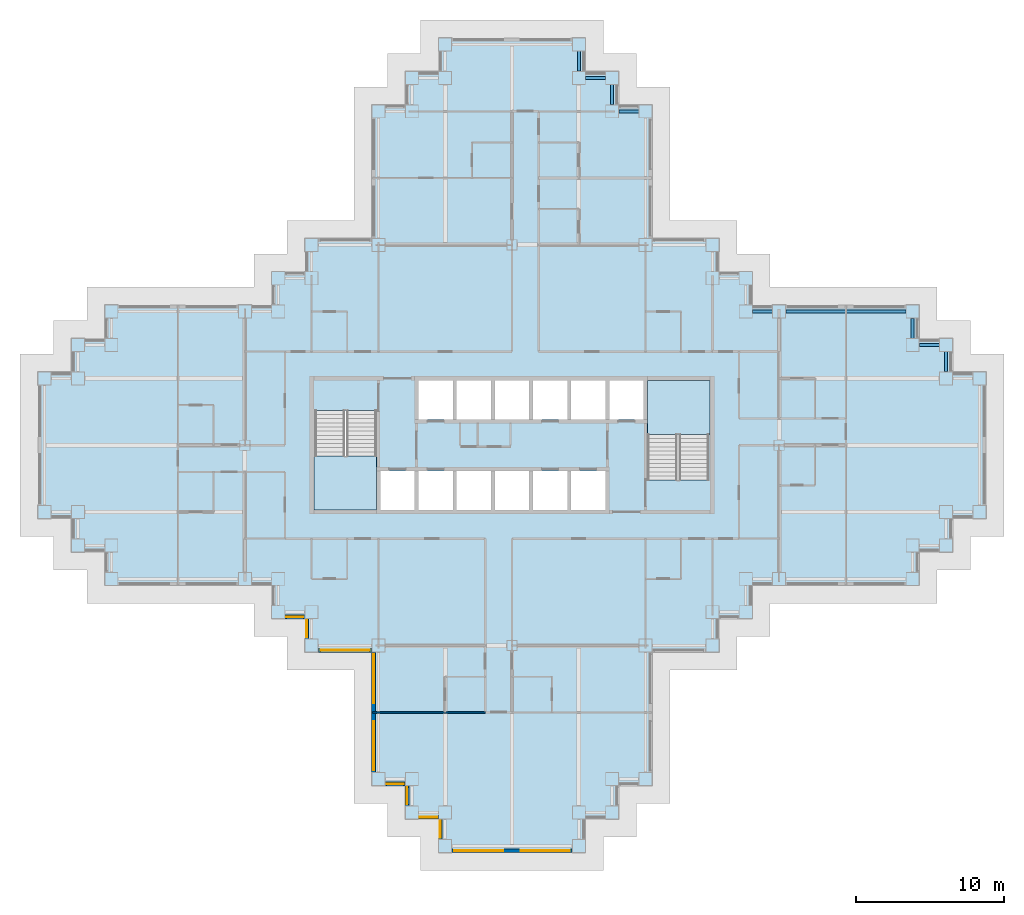
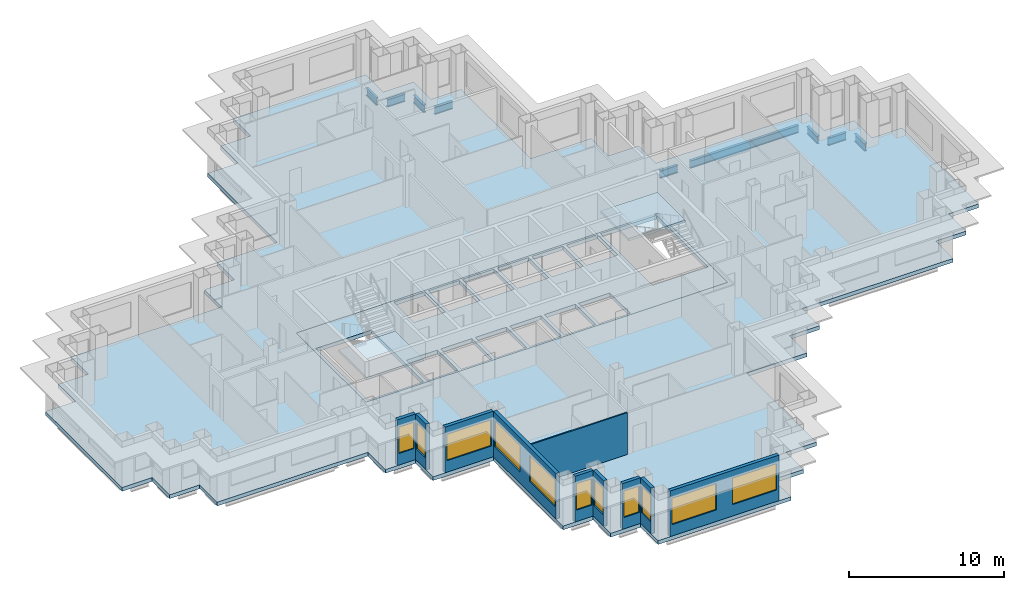
# One storey, part 2 of 14: 11 windows, 10 walls, 9 beams, 4 slabs, 11 openings, 2 elements without a shape of their own.
"""IFC4 building model written with IfcOpenShell, lengths in metres."""

import ifcopenshell
import ifcopenshell.guid

model = None  # the IFC model being written
_history = None  # IfcOwnerHistory: only IFC2X3 demands one
_inside = {}  # id of a spatial element -> (the spatial element, [elements in it])
_under = {}  # id of a project, library or spatial element -> (it, [spatial elements below it])
_declared = {}  # id of a project -> (the project, [libraries it declares])
_typed = {}  # id of a type object -> (the type object, [elements of that type])
_made_of = {}  # id of a material, layer set ... -> (it, [elements and type objects made of it])


def new_model(schema):
    """Start an empty IFC model of exactly this schema.

    Asked for "IFC4X3", IfcOpenShell would pick the latest addendum, in which some entities
    have other attributes; the version numbers below select the first issue.
    IFC2X3 requires an IfcOwnerHistory on every rooted entity: one is made here for all.
    """
    global model, _history
    if schema == "IFC4X3":
        model = ifcopenshell.file(schema_version=(4, 3, 0, 0))
    else:
        model = ifcopenshell.file(schema=schema)
    _inside.clear()
    _under.clear()
    _declared.clear()
    _typed.clear()
    _made_of.clear()
    _history = None
    if model.schema == "IFC2X3":
        org = make("IfcOrganization", Name="unknown")
        user = make(
            "IfcPersonAndOrganization",
            ThePerson=make("IfcPerson", FamilyName="unknown"),
            TheOrganization=org,
        )
        app = make(
            "IfcApplication",
            ApplicationDeveloper=org,
            Version="unknown",
            ApplicationFullName="unknown",
            ApplicationIdentifier="unknown",
        )
        _history = make(
            "IfcOwnerHistory",
            OwningUser=user,
            OwningApplication=app,
            ChangeAction="ADDED",
            CreationDate=0,
        )
    return model


def make(cls, **values):
    """One entity of the class cls with the attributes given. An attribute that is None is left unset."""
    return model.create_entity(
        cls, **{name: value for name, value in values.items() if value is not None}
    )


def rooted(cls, **values):
    """An entity with a GlobalId (a new one), such as an element, a storey or a relation."""
    return make(cls, GlobalId=ifcopenshell.guid.new(), OwnerHistory=_history, **values)


def si_unit(unit_type, name, prefix=None):
    """IfcSIUnit, for example si_unit("LENGTHUNIT", "METRE", prefix="MILLI")."""
    return make("IfcSIUnit", UnitType=unit_type, Prefix=prefix, Name=name)


def assignment(units):
    """IfcUnitAssignment: the units of a project."""
    return None if units is None else make("IfcUnitAssignment", Units=units)


def point(xyz):
    """IfcCartesianPoint."""
    return None if xyz is None else make("IfcCartesianPoint", Coordinates=xyz)


def direction(xyz):
    """IfcDirection."""
    return None if xyz is None else make("IfcDirection", DirectionRatios=xyz)


def frame(location, z_axis=None, x_axis=None):
    """IfcAxis2Placement3D, a coordinate frame: its origin and axes. An axis left out is left unset."""
    return make(
        "IfcAxis2Placement3D",
        Location=point(location),
        Axis=direction(z_axis),
        RefDirection=direction(x_axis),
    )


def frame_2d(location, x_axis=None):
    """IfcAxis2Placement2D, a coordinate frame in the plane: its origin and x axis."""
    return make(
        "IfcAxis2Placement2D", Location=point(location), RefDirection=direction(x_axis)
    )


def origin():
    """The frame at (0, 0, 0) with its axes left unset."""
    return frame((0.0, 0.0, 0.0))


def origin_2d():
    """The frame at (0, 0) in the plane with its x axis left unset."""
    return frame_2d((0.0, 0.0))


def place(relative_to, where):
    """IfcLocalPlacement: puts the frame where relative to a parent placement (None: the world)."""
    return make(
        "IfcLocalPlacement", PlacementRelTo=relative_to, RelativePlacement=where
    )


def context(
    kind, dimensions, precision=None, world=None, true_north=None, identifier=None
):
    """IfcGeometricRepresentationContext, for example the 3D "Model" context."""
    return make(
        "IfcGeometricRepresentationContext",
        ContextIdentifier=identifier,
        ContextType=kind,
        CoordinateSpaceDimension=dimensions,
        Precision=precision,
        WorldCoordinateSystem=world,
        TrueNorth=true_north,
    )


def subcontext(parent, identifier, kind, view, scale=None):
    """IfcGeometricRepresentationSubContext, for example "Body" below "Model"."""
    return make(
        "IfcGeometricRepresentationSubContext",
        ContextIdentifier=identifier,
        ContextType=kind,
        ParentContext=parent,
        TargetScale=scale,
        TargetView=view,
    )


def project(units=None, contexts=None):
    """IfcProject with its units and contexts."""
    return rooted(
        "IfcProject",
        Name="project",
        RepresentationContexts=contexts,
        UnitsInContext=assignment(units),
    )


def spatial(cls, under=None, at=None, **own):
    """A site, building, storey or space (cls), placed at a placement, below another one or the project."""
    s = rooted(cls, ObjectPlacement=at, **own)
    if under is not None:
        _under.setdefault(under.id(), (under, []))[1].append(s)
    return s


def polyline(points):
    """IfcPolyline through the points."""
    return make("IfcPolyline", Points=[point(p) for p in points])


def profile(cls, at=None, kind="AREA", **sizes):
    """A parametric profile (cls). Its sizes go by their IFC names, for example OverallWidth=200.0."""
    return make(cls, ProfileType=kind, Position=at, **sizes)


def rectangle(**sizes):
    """IfcRectangleProfileDef."""
    return profile("IfcRectangleProfileDef", **sizes)


def i_section(**sizes):
    """IfcIShapeProfileDef."""
    return profile("IfcIShapeProfileDef", **sizes)


def outline(outer, holes=None, kind="AREA"):
    """IfcArbitraryClosedProfileDef: a profile drawn as a closed curve; with holes, ...WithVoids."""
    if holes is None:
        return make("IfcArbitraryClosedProfileDef", ProfileType=kind, OuterCurve=outer)
    return make(
        "IfcArbitraryProfileDefWithVoids",
        ProfileType=kind,
        OuterCurve=outer,
        InnerCurves=holes,
    )


def extrude(swept, where, along, depth):
    """IfcExtrudedAreaSolid: the profile swept, set in the frame where, extruded along a direction by depth."""
    return make(
        "IfcExtrudedAreaSolid",
        SweptArea=swept,
        Position=where,
        ExtrudedDirection=direction(along),
        Depth=depth,
    )


def shape(context_of_items, identifier, shape_type, items):
    """IfcShapeRepresentation: the items that make up one representation, for example the "Body"."""
    return make(
        "IfcShapeRepresentation",
        ContextOfItems=context_of_items,
        RepresentationIdentifier=identifier,
        RepresentationType=shape_type,
        Items=items,
    )


def material(Name=None, Category=None):
    """IfcMaterial."""
    return make("IfcMaterial", Name=Name, Category=Category)


def layer(
    of_material, thickness, ventilated=None, Name=None, Category=None, Priority=None
):
    """IfcMaterialLayer: one layer of a wall or slab, of a material (None: an air gap)."""
    return make(
        "IfcMaterialLayer",
        Material=of_material,
        LayerThickness=thickness,
        IsVentilated=ventilated,
        Name=Name,
        Category=Category,
        Priority=Priority,
    )


def layer_set(layers, Name=None):
    """IfcMaterialLayerSet."""
    return make("IfcMaterialLayerSet", MaterialLayers=layers, LayerSetName=Name)


def material_profile(
    of_material, cross_section, Name=None, Category=None, Priority=None
):
    """IfcMaterialProfile: a cross section and its material."""
    return make(
        "IfcMaterialProfile",
        Name=Name,
        Material=of_material,
        Profile=cross_section,
        Priority=Priority,
        Category=Category,
    )


def profile_set(profiles, Name=None, composite=None):
    """IfcMaterialProfileSet."""
    return make(
        "IfcMaterialProfileSet",
        Name=Name,
        MaterialProfiles=profiles,
        CompositeProfile=composite,
    )


def made_of(thing, what):
    """Note that an element or type object is made of a material, layer set ...; save() writes the relation."""
    if what is not None:
        _made_of.setdefault(what.id(), (what, []))[1].append(thing)
    return thing


def type_object(cls, material=None, **own):
    """A type object (cls), such as IfcWallType, which elements share."""
    return made_of(rooted(cls, **own), material)


def element(
    cls,
    number,
    at=None,
    inside=None,
    cuts=None,
    type_object=None,
    material=None,
    context=None,
    identifier="Body",
    shape_type=None,
    held_by="IfcProductDefinitionShape",
    body=None,
    shapes=None,
    **own,
):
    """One element of the class cls, such as IfcWall. Its Tag is "e" and its number.

    at: its placement. inside: the storey or other place that contains it. cuts: it is an
    opening in that element (IfcRelVoidsElement). A single representation is given by context,
    identifier, shape_type and body (its items); several are given by shapes. held_by: the class
    of the entity that holds the representations. save() writes the other relations.
    """
    e = rooted(cls, Tag="e%d" % number, ObjectPlacement=at, **own)
    if body is not None:
        shapes = [shape(context, identifier, shape_type, body)]
    if shapes is not None:
        e.Representation = make(held_by, Representations=shapes)
    if inside is not None:
        _inside.setdefault(inside.id(), (inside, []))[1].append(e)
    if cuts is not None:
        rooted(
            "IfcRelVoidsElement", RelatingBuildingElement=cuts, RelatedOpeningElement=e
        )
    if type_object is not None:
        _typed.setdefault(type_object.id(), (type_object, []))[1].append(e)
    return made_of(e, material)


def fill(opening, filler):
    """IfcRelFillsElement: the door or window that sits in an opening."""
    return rooted(
        "IfcRelFillsElement",
        RelatingOpeningElement=opening,
        RelatedBuildingElement=filler,
    )


def aggregate(whole, parts):
    """IfcRelAggregates: a whole, such as a stair, and the parts it consists of."""
    return rooted("IfcRelAggregates", RelatingObject=whole, RelatedObjects=parts)


def save(model, path):
    """Write the relations noted so far, then the file.

    IfcRelAggregates (storeys below a building ...), IfcRelContainedInSpatialStructure (elements
    in a storey), IfcRelDefinesByType, IfcRelAssociatesMaterial and IfcRelDeclares: one each for
    every whole, place, type object, material and project.
    """
    for whole, parts in _under.values():
        aggregate(whole, parts)
    for where, things in _inside.values():
        rooted(
            "IfcRelContainedInSpatialStructure",
            RelatedElements=things,
            RelatingStructure=where,
        )
    for kind, things in _typed.values():
        rooted("IfcRelDefinesByType", RelatedObjects=things, RelatingType=kind)
    for what, things in _made_of.values():
        rooted("IfcRelAssociatesMaterial", RelatedObjects=things, RelatingMaterial=what)
    for by, libraries in _declared.values():
        rooted("IfcRelDeclares", RelatingContext=by, RelatedDefinitions=libraries)
    model.write(path)


model = new_model("IFC4")

# Units and contexts
model_context = context("Model", 3, precision=1e-05, world=origin(), true_north=direction((0.0, 1.0)))
body_context = subcontext(model_context, "Body", "Model", "MODEL_VIEW")
ifc_project = project(units=[si_unit("LENGTHUNIT", "METRE"), si_unit("AREAUNIT", "SQUARE_METRE"), si_unit("VOLUMEUNIT", "CUBIC_METRE"), si_unit("PLANEANGLEUNIT", "RADIAN"), si_unit("MASSUNIT", "GRAM", prefix="KILO")], contexts=[model_context])

# Site, building, storey
site_placement = place(None, origin())
site = spatial("IfcSite", under=ifc_project, at=site_placement, CompositionType="ELEMENT")
building_placement = place(site_placement, origin())
building = spatial("IfcBuilding", under=site, at=building_placement, Name="Caravel Reach Hotel and Residences", CompositionType="ELEMENT")
storey_placement = place(building_placement, frame((0.0, 0.0, 118.800048828125)))
storey = spatial("IfcBuildingStorey", under=building, at=storey_placement, Name="L29", CompositionType="ELEMENT", Elevation=118.800048828125)

# Beams
ifc_material_1 = material(Name="Structural steel Q355B", Category="steel")
ifc_material_profile = material_profile(ifc_material_1, i_section(OverallWidth=0.199951171875, OverallDepth=0.60009765625, WebThickness=0.010986328125, FlangeThickness=0.01708984375, FilletRadius=0.012939453125, at=origin_2d()), Name="HN 600x200x11x17")
ifc_profile_set = profile_set([ifc_material_profile], Name="Structural steel Q355B")
beam_type = type_object("IfcBeamType", Name="Spandrel beam HN 600x200x11x17", PredefinedType="SPANDREL", material=ifc_profile_set)
for number, where, z_axis, x_axis, name in (
    (1, (60.75, 31.949951171875, -0.60009765625), (0.0, 1.0, 0.0), (-1.0, 0.0, 0.0), "SP1 HN 600x200x11x17"),
    (2, (60.300048828125, 33.75, -0.60009765625), (-1.0, 0.0, 0.0), (0.0, -1.0, 0.0), "SP1 HN 600x200x11x17"),
    (3, (58.5, 34.199951171875, -0.60009765625), (0.0, 1.0, 0.0), (-1.0, 0.0, 0.0), "SP1 HN 600x200x11x17"),
):
    element("IfcBeam", number, at=place(storey_placement, frame(where, z_axis=z_axis, x_axis=x_axis)), inside=storey, type_object=beam_type, Name=name, PredefinedType="SPANDREL", context=body_context, shape_type="SweptSolid", body=[
        extrude(i_section(OverallWidth=0.199951171875, OverallDepth=0.60009765625, WebThickness=0.010986328125, FlangeThickness=0.01708984375, FilletRadius=0.012939453125, at=origin_2d()), origin(), (0.0, 0.0, 1.0), 1.35009765625),
    ])
beam_placement = place(storey_placement, frame((58.050048828125, 36.0, -0.60009765625), z_axis=(-1.0, 0.0, 0.0), x_axis=(0.0, -1.0, 0.0)))
element("IfcBeam", 4, at=beam_placement, inside=storey, type_object=beam_type, Name="SP1 HN 600x200x11x17", PredefinedType="SPANDREL", context=body_context, shape_type="SweptSolid", body=[
    extrude(i_section(OverallWidth=0.199951171875, OverallDepth=0.60009765625, WebThickness=0.010986328125, FlangeThickness=0.01708984375, FilletRadius=0.012939453125, at=origin_2d()), origin(), (0.0, 0.0, 1.0), 8.10009765625),
])
for number, where, z_axis, x_axis, name in (
    (5, (49.050048828125, 36.0, -0.60009765625), (-1.0, 0.0, 0.0), (0.0, -1.0, 0.0), "SP1 HN 600x200x11x17"),
    (6, (40.050048828125, 49.5, -0.60009765625), (-1.0, 0.0, 0.0), (0.0, -1.0, 0.0), "SP1 HN 600x200x11x17"),
    (7, (38.25, 49.949951171875, -0.60009765625), (0.0, 1.0, 0.0), (-1.0, 0.0, 0.0), "SP1 HN 600x200x11x17"),
    (8, (37.800048828125, 51.75, -0.60009765625), (-1.0, 0.0, 0.0), (0.0, -1.0, 0.0), "SP1 HN 600x200x11x17"),
    (9, (36.0, 52.199951171875, -0.60009765625), (0.0, 1.0, 0.0), (-1.0, 0.0, 0.0), "SP1 HN 600x200x11x17"),
):
    element("IfcBeam", number, at=place(storey_placement, frame(where, z_axis=z_axis, x_axis=x_axis)), inside=storey, type_object=beam_type, Name=name, PredefinedType="SPANDREL", context=body_context, shape_type="SweptSolid", body=[
        extrude(i_section(OverallWidth=0.199951171875, OverallDepth=0.60009765625, WebThickness=0.010986328125, FlangeThickness=0.01708984375, FilletRadius=0.012939453125, at=origin_2d()), origin(), (0.0, 0.0, 1.0), 1.35009765625),
    ])

# Slab
ifc_material_2 = material(Name="Concrete C40", Category="concrete")
ifc_layer_1 = layer(ifc_material_2, 0.300048828125)
ifc_layer_set_1 = layer_set([ifc_layer_1], Name="Core floor slab 300 mm")
slab_type_1 = type_object("IfcSlabType", Name="Core floor slab 300 mm", PredefinedType="FLOOR", material=ifc_layer_set_1)
slab_1_placement = place(storey_placement, frame((0.0, 0.0, -0.300048828125)))
element("IfcSlab", 10, at=slab_1_placement, inside=storey, type_object=slab_type_1, Name="L29 core floor", PredefinedType="FLOOR", context=body_context, shape_type="SweptSolid", body=[
    extrude(outline(polyline([(18.0, 31.5), (45.0, 31.5), (45.0, 22.5), (18.0, 22.5), (18.0, 31.5)]), holes=[polyline([(22.625, 25.27490234375), (22.625, 22.64990234375), (24.9462890625, 22.64990234375), (24.9462890625, 25.27490234375), (22.625, 25.27490234375)]), polyline([(27.517822265625, 25.27490234375), (25.1962890625, 25.27490234375), (25.1962890625, 22.64990234375), (27.517822265625, 22.64990234375), (27.517822265625, 25.27490234375)]), polyline([(30.08935546875, 25.27490234375), (27.767822265625, 25.27490234375), (27.767822265625, 22.64990234375), (30.08935546875, 22.64990234375), (30.08935546875, 25.27490234375)]), polyline([(32.66064453125, 25.27490234375), (30.33935546875, 25.27490234375), (30.33935546875, 22.64990234375), (32.66064453125, 22.64990234375), (32.66064453125, 25.27490234375)]), polyline([(18.22509765625, 22.64990234375), (22.375, 22.64990234375), (22.375, 29.35009765625), (18.22509765625, 29.35009765625), (18.22509765625, 22.64990234375)]), polyline([(27.517822265625, 31.35009765625), (25.1962890625, 31.35009765625), (25.1962890625, 28.72509765625), (27.517822265625, 28.72509765625), (27.517822265625, 31.35009765625)]), polyline([(30.08935546875, 31.35009765625), (27.767822265625, 31.35009765625), (27.767822265625, 28.72509765625), (30.08935546875, 28.72509765625), (30.08935546875, 31.35009765625)]), polyline([(32.91064453125, 25.27490234375), (32.91064453125, 22.64990234375), (35.232177734375, 22.64990234375), (35.232177734375, 25.27490234375), (32.91064453125, 25.27490234375)]), polyline([(37.8037109375, 25.27490234375), (35.482177734375, 25.27490234375), (35.482177734375, 22.64990234375), (37.8037109375, 22.64990234375), (37.8037109375, 25.27490234375)]), polyline([(44.77490234375, 31.35009765625), (40.625, 31.35009765625), (40.625, 24.64990234375), (44.77490234375, 24.64990234375), (44.77490234375, 31.35009765625)]), polyline([(32.66064453125, 31.35009765625), (30.33935546875, 31.35009765625), (30.33935546875, 28.72509765625), (32.66064453125, 28.72509765625), (32.66064453125, 31.35009765625)]), polyline([(35.232177734375, 31.35009765625), (32.91064453125, 31.35009765625), (32.91064453125, 28.72509765625), (35.232177734375, 28.72509765625), (35.232177734375, 31.35009765625)]), polyline([(37.8037109375, 31.35009765625), (35.482177734375, 31.35009765625), (35.482177734375, 28.72509765625), (37.8037109375, 28.72509765625), (37.8037109375, 31.35009765625)]), polyline([(40.375, 31.35009765625), (38.0537109375, 31.35009765625), (38.0537109375, 28.72509765625), (40.375, 28.72509765625), (40.375, 31.35009765625)])]), origin(), (0.0, 0.0, 1.0), 0.300048828125),
])

# Stair, slab
ifc_material_3 = material(Name="Concrete C40", Category="concrete")
stair_type = type_object("IfcStairType", Name="Core stair", PredefinedType="HALF_TURN_STAIR", material=ifc_material_3)
stair_1_placement = place(storey_placement, origin())
stair_1 = element("IfcStair", 11, at=stair_1_placement, inside=storey, type_object=stair_type, Name="L29 Exit stair A", PredefinedType="HALF_TURN_STAIR")
ifc_material_4 = material(Name="Concrete C40", Category="concrete")
ifc_layer_2 = layer(ifc_material_4, 0.199951171875)
ifc_layer_set_2 = layer_set([ifc_layer_2], Name="Core stair landing")
slab_type_2 = type_object("IfcSlabType", Name="Core stair landing", PredefinedType="LANDING", material=ifc_layer_set_2)
slab_2_placement = place(storey_placement, frame((0.0, 0.0, 1.599853515625)))
slab_2 = element("IfcSlab", 12, at=slab_2_placement, type_object=slab_type_2, Name="ST-A landing 1", PredefinedType="LANDING", context=body_context, shape_type="SweptSolid", body=[
    extrude(outline(polyline([(18.14990234375, 26.27001953125), (18.14990234375, 22.64990234375), (22.375, 22.64990234375), (22.375, 26.27001953125), (18.14990234375, 26.27001953125)])), origin(), (0.0, 0.0, 1.0), 0.2001953125),
])
aggregate(stair_1, [slab_2])

stair_2_placement = place(storey_placement, origin())
stair_2 = element("IfcStair", 13, at=stair_2_placement, inside=storey, type_object=stair_type, Name="L29 Exit stair B", PredefinedType="HALF_TURN_STAIR")
slab_3_placement = place(storey_placement, frame((0.0, 0.0, 1.599853515625)))
slab_3 = element("IfcSlab", 14, at=slab_3_placement, type_object=slab_type_2, Name="ST-B landing 1", PredefinedType="LANDING", context=body_context, shape_type="SweptSolid", body=[
    extrude(outline(polyline([(44.85009765625, 27.72998046875), (44.85009765625, 31.35009765625), (40.625, 31.35009765625), (40.625, 27.72998046875), (44.85009765625, 27.72998046875)])), origin(), (0.0, 0.0, 1.0), 0.2001953125),
])
aggregate(stair_2, [slab_3])

# Slab
ifc_material_5 = material(Name="Concrete C40 post-tensioned", Category="concrete")
ifc_layer_3 = layer(ifc_material_5, 0.300048828125)
ifc_layer_set_3 = layer_set([ifc_layer_3], Name="Floor slab 300")
slab_type_3 = type_object("IfcSlabType", Name="Floor slab 300", PredefinedType="FLOOR", material=ifc_layer_set_3)
slab_4_placement = place(storey_placement, frame((0.0, 0.0, -0.300048828125)))
element("IfcSlab", 15, at=slab_4_placement, inside=storey, type_object=slab_type_3, Name="S2 slab L29", PredefinedType="FLOOR", context=body_context, shape_type="SweptSolid", body=[
    extrude(outline(polyline([(17.550048828125, 13.050048828125), (17.550048828125, 15.300048828125), (15.300048828125, 15.300048828125), (15.300048828125, 17.550048828125), (4.050048828125, 17.550048828125), (4.050048828125, 19.800048828125), (1.800048828125, 19.800048828125), (1.800048828125, 22.050048828125), (-0.449951171875, 22.050048828125), (-0.449951171875, 31.949951171875), (1.800048828125, 31.949951171875), (1.800048828125, 34.199951171875), (4.050048828125, 34.199951171875), (4.050048828125, 36.449951171875), (15.300048828125, 36.449951171875), (15.300048828125, 38.699951171875), (17.550048828125, 38.699951171875), (17.550048828125, 40.949951171875), (22.050048828125, 40.949951171875), (22.050048828125, 49.949951171875), (24.300048828125, 49.949951171875), (24.300048828125, 52.199951171875), (26.550048828125, 52.199951171875), (26.550048828125, 54.449951171875), (36.449951171875, 54.449951171875), (36.449951171875, 52.199951171875), (38.699951171875, 52.199951171875), (38.699951171875, 49.949951171875), (40.949951171875, 49.949951171875), (40.949951171875, 40.949951171875), (45.449951171875, 40.949951171875), (45.449951171875, 38.699951171875), (47.699951171875, 38.699951171875), (47.699951171875, 36.449951171875), (58.949951171875, 36.449951171875), (58.949951171875, 34.199951171875), (61.199951171875, 34.199951171875), (61.199951171875, 31.949951171875), (63.449951171875, 31.949951171875), (63.449951171875, 22.050048828125), (61.199951171875, 22.050048828125), (61.199951171875, 19.800048828125), (58.949951171875, 19.800048828125), (58.949951171875, 17.550048828125), (47.699951171875, 17.550048828125), (47.699951171875, 15.300048828125), (45.449951171875, 15.300048828125), (45.449951171875, 13.050048828125), (40.949951171875, 13.050048828125), (40.949951171875, 4.050048828125), (38.699951171875, 4.050048828125), (38.699951171875, 1.800048828125), (36.449951171875, 1.800048828125), (36.449951171875, -0.449951171875), (26.550048828125, -0.449951171875), (26.550048828125, 1.800048828125), (24.300048828125, 1.800048828125), (24.300048828125, 4.050048828125), (22.050048828125, 4.050048828125), (22.050048828125, 13.050048828125), (17.550048828125, 13.050048828125)]), holes=[polyline([(45.0, 31.5), (18.0, 31.5), (18.0, 22.5), (45.0, 22.5), (45.0, 31.5)])]), origin(), (0.0, 0.0, 1.0), 0.300048828125),
])

# Wall, opening, window
ifc_material_6 = material(Name="Insulated rainscreen wall, aluminium cladding", Category="aluminium")
ifc_layer_4 = layer(ifc_material_6, 0.25)
ifc_layer_set_4 = layer_set([ifc_layer_4], Name="EW1 Tower rainscreen wall")
wall_type_1 = type_object("IfcWallType", Name="EW1 Tower rainscreen wall", PredefinedType="SOLIDWALL", material=ifc_layer_set_4)
wall_1_placement = place(storey_placement, frame((22.949951171875, 4.175048828125, 0.0), z_axis=(0.0, 0.0, 1.0), x_axis=(1.0, 0.0, 0.0)))
wall_1 = element("IfcWall", 16, at=wall_1_placement, inside=storey, type_object=wall_type_1, Name="External wall L29 S1.1", PredefinedType="SOLIDWALL", context=body_context, shape_type="SweptSolid", body=[
    extrude(rectangle(XDim=1.35009765625, YDim=0.25, at=frame_2d((0.675048828125, 0.0))), origin(), (0.0, 0.0, 1.0), 3.599853515625),
])
opening_1_placement = place(wall_1_placement, frame((0.10009765625, 0.0, 0.89990234375)))
opening_1 = element("IfcOpeningElement", 17, at=opening_1_placement, cuts=wall_1, Name="Opening WN8", PredefinedType="OPENING", context=body_context, shape_type="SweptSolid", body=[
    extrude(rectangle(XDim=1.14990234375, YDim=2.080078125, at=frame_2d((0.574951171875, 1.0400390625))), frame((0.0, 0.135009765625, 0.0), z_axis=(0.0, -1.0, 0.0), x_axis=(1.0, 0.0, 0.0)), (0.0, 0.0, 1.0), 0.27001953125),
])
ifc_material_7 = material(Name="Dark low-e glazing in black aluminium frame", Category="aluminium")
window_type_1 = type_object("IfcWindowType", Name="Hotel suite corner window 1150 x 2080", PartitioningType="SINGLE_PANEL", PredefinedType="WINDOW", material=ifc_material_7)
window_1_placement = place(opening_1_placement, origin())
window_1 = element("IfcWindow", 18, at=window_1_placement, inside=storey, type_object=window_type_1, Name="Window L29 S1.1.1", OverallHeight=2.080078125, OverallWidth=1.14990234375, PartitioningType="SINGLE_PANEL", PredefinedType="WINDOW", context=body_context, shape_type="SweptSolid", body=[
    extrude(rectangle(XDim=1.14990234375, YDim=2.080078125, at=frame_2d((0.574951171875, 1.0400390625))), frame((0.0, 0.030029296875, 0.0), z_axis=(0.0, -1.0, 0.0), x_axis=(1.0, 0.0, 0.0)), (0.0, 0.0, 1.0), 0.06005859375),
])
fill(opening_1, window_1)

wall_2_placement = place(storey_placement, frame((24.425048828125, 4.050048828125, 0.0), z_axis=(0.0, 0.0, 1.0), x_axis=(0.0, -1.0, 0.0)))
wall_2 = element("IfcWall", 19, at=wall_2_placement, inside=storey, type_object=wall_type_1, Name="External wall L29 W2.1", PredefinedType="SOLIDWALL", context=body_context, shape_type="SweptSolid", body=[
    extrude(rectangle(XDim=1.35009765625, YDim=0.25, at=frame_2d((0.675048828125, 0.0))), origin(), (0.0, 0.0, 1.0), 3.599853515625),
])
opening_2_placement = place(wall_2_placement, frame((0.10009765625, 0.0, 0.89990234375)))
opening_2 = element("IfcOpeningElement", 20, at=opening_2_placement, cuts=wall_2, Name="Opening WN8", PredefinedType="OPENING", context=body_context, shape_type="SweptSolid", body=[
    extrude(rectangle(XDim=1.14990234375, YDim=2.080078125, at=frame_2d((0.574951171875, 1.0400390625))), frame((0.0, 0.135009765625, 0.0), z_axis=(0.0, -1.0, 0.0), x_axis=(1.0, 0.0, 0.0)), (0.0, 0.0, 1.0), 0.27001953125),
])
window_2_placement = place(opening_2_placement, origin())
window_2 = element("IfcWindow", 21, at=window_2_placement, inside=storey, type_object=window_type_1, Name="Window L29 W2.1.1", OverallHeight=2.080078125, OverallWidth=1.14990234375, PartitioningType="SINGLE_PANEL", PredefinedType="WINDOW", context=body_context, shape_type="SweptSolid", body=[
    extrude(rectangle(XDim=1.14990234375, YDim=2.080078125, at=frame_2d((0.574951171875, 1.0400390625))), frame((0.0, 0.030029296875, 0.0), z_axis=(0.0, -1.0, 0.0), x_axis=(1.0, 0.0, 0.0)), (0.0, 0.0, 1.0), 0.06005859375),
])
fill(opening_2, window_2)

wall_3_placement = place(storey_placement, frame((25.199951171875, 1.925048828125, 0.0), z_axis=(0.0, 0.0, 1.0), x_axis=(1.0, 0.0, 0.0)))
wall_3 = element("IfcWall", 22, at=wall_3_placement, inside=storey, type_object=wall_type_1, Name="External wall L29 S3.1", PredefinedType="SOLIDWALL", context=body_context, shape_type="SweptSolid", body=[
    extrude(rectangle(XDim=1.35009765625, YDim=0.25, at=frame_2d((0.675048828125, 0.0))), origin(), (0.0, 0.0, 1.0), 3.599853515625),
])
opening_3_placement = place(wall_3_placement, frame((0.10009765625, 0.0, 0.89990234375)))
opening_3 = element("IfcOpeningElement", 23, at=opening_3_placement, cuts=wall_3, Name="Opening WN8", PredefinedType="OPENING", context=body_context, shape_type="SweptSolid", body=[
    extrude(rectangle(XDim=1.14990234375, YDim=2.080078125, at=frame_2d((0.574951171875, 1.0400390625))), frame((0.0, 0.135009765625, 0.0), z_axis=(0.0, -1.0, 0.0), x_axis=(1.0, 0.0, 0.0)), (0.0, 0.0, 1.0), 0.27001953125),
])
window_3_placement = place(opening_3_placement, origin())
window_3 = element("IfcWindow", 24, at=window_3_placement, inside=storey, type_object=window_type_1, Name="Window L29 S3.1.1", OverallHeight=2.080078125, OverallWidth=1.14990234375, PartitioningType="SINGLE_PANEL", PredefinedType="WINDOW", context=body_context, shape_type="SweptSolid", body=[
    extrude(rectangle(XDim=1.14990234375, YDim=2.080078125, at=frame_2d((0.574951171875, 1.0400390625))), frame((0.0, 0.030029296875, 0.0), z_axis=(0.0, -1.0, 0.0), x_axis=(1.0, 0.0, 0.0)), (0.0, 0.0, 1.0), 0.06005859375),
])
fill(opening_3, window_3)

wall_4_placement = place(storey_placement, frame((26.675048828125, 1.800048828125, 0.0), z_axis=(0.0, 0.0, 1.0), x_axis=(0.0, -1.0, 0.0)))
wall_4 = element("IfcWall", 25, at=wall_4_placement, inside=storey, type_object=wall_type_1, Name="External wall L29 W4.1", PredefinedType="SOLIDWALL", context=body_context, shape_type="SweptSolid", body=[
    extrude(rectangle(XDim=1.35009765625, YDim=0.25, at=frame_2d((0.675048828125, 0.0))), origin(), (0.0, 0.0, 1.0), 3.599853515625),
])
opening_4_placement = place(wall_4_placement, frame((0.10009765625, 0.0, 0.89990234375)))
opening_4 = element("IfcOpeningElement", 26, at=opening_4_placement, cuts=wall_4, Name="Opening WN8", PredefinedType="OPENING", context=body_context, shape_type="SweptSolid", body=[
    extrude(rectangle(XDim=1.14990234375, YDim=2.080078125, at=frame_2d((0.574951171875, 1.0400390625))), frame((0.0, 0.135009765625, 0.0), z_axis=(0.0, -1.0, 0.0), x_axis=(1.0, 0.0, 0.0)), (0.0, 0.0, 1.0), 0.27001953125),
])
window_4_placement = place(opening_4_placement, origin())
window_4 = element("IfcWindow", 27, at=window_4_placement, inside=storey, type_object=window_type_1, Name="Window L29 W4.1.1", OverallHeight=2.080078125, OverallWidth=1.14990234375, PartitioningType="SINGLE_PANEL", PredefinedType="WINDOW", context=body_context, shape_type="SweptSolid", body=[
    extrude(rectangle(XDim=1.14990234375, YDim=2.080078125, at=frame_2d((0.574951171875, 1.0400390625))), frame((0.0, 0.030029296875, 0.0), z_axis=(0.0, -1.0, 0.0), x_axis=(1.0, 0.0, 0.0)), (0.0, 0.0, 1.0), 0.06005859375),
])
fill(opening_4, window_4)

# Wall, openings, windows
wall_5_placement = place(storey_placement, frame((27.449951171875, -0.324951171875, 0.0), z_axis=(0.0, 0.0, 1.0), x_axis=(1.0, 0.0, 0.0)))
wall_5 = element("IfcWall", 28, at=wall_5_placement, inside=storey, type_object=wall_type_1, Name="External wall L29 S5.1", PredefinedType="SOLIDWALL", context=body_context, shape_type="SweptSolid", body=[
    extrude(rectangle(XDim=8.10009765625, YDim=0.25, at=frame_2d((4.050048828125, 0.0))), origin(), (0.0, 0.0, 1.0), 3.599853515625),
])
opening_5_placement = place(wall_5_placement, frame((0.14990234375, 0.0, 0.89990234375)))
opening_5 = element("IfcOpeningElement", 29, at=opening_5_placement, cuts=wall_5, Name="Opening WN4", PredefinedType="OPENING", context=body_context, shape_type="SweptSolid", body=[
    extrude(rectangle(XDim=3.300048828125, YDim=2.080078125, at=frame_2d((1.64990234375, 1.0400390625))), frame((0.0, 0.135009765625, 0.0), z_axis=(0.0, -1.0, 0.0), x_axis=(1.0, 0.0, 0.0)), (0.0, 0.0, 1.0), 0.27001953125),
])
opening_6_placement = place(wall_5_placement, frame((4.64990234375, 0.0, 0.89990234375)))
opening_6 = element("IfcOpeningElement", 30, at=opening_6_placement, cuts=wall_5, Name="Opening WN4", PredefinedType="OPENING", context=body_context, shape_type="SweptSolid", body=[
    extrude(rectangle(XDim=3.300048828125, YDim=2.080078125, at=frame_2d((1.64990234375, 1.0400390625))), frame((0.0, 0.135009765625, 0.0), z_axis=(0.0, -1.0, 0.0), x_axis=(1.0, 0.0, 0.0)), (0.0, 0.0, 1.0), 0.27001953125),
])
ifc_material_8 = material(Name="Dark low-e glazing in black aluminium frame", Category="aluminium")
window_type_2 = type_object("IfcWindowType", Name="Hotel guest room window 3300 x 2080", PartitioningType="SINGLE_PANEL", PredefinedType="WINDOW", material=ifc_material_8)
window_5_placement = place(opening_5_placement, origin())
window_5 = element("IfcWindow", 31, at=window_5_placement, inside=storey, type_object=window_type_2, Name="Window L29 S5.1.1", OverallHeight=2.080078125, OverallWidth=3.300048828125, PartitioningType="SINGLE_PANEL", PredefinedType="WINDOW", context=body_context, shape_type="SweptSolid", body=[
    extrude(rectangle(XDim=3.300048828125, YDim=2.080078125, at=frame_2d((1.64990234375, 1.0400390625))), frame((0.0, 0.030029296875, 0.0), z_axis=(0.0, -1.0, 0.0), x_axis=(1.0, 0.0, 0.0)), (0.0, 0.0, 1.0), 0.06005859375),
])
fill(opening_5, window_5)
window_6_placement = place(opening_6_placement, origin())
window_6 = element("IfcWindow", 32, at=window_6_placement, inside=storey, type_object=window_type_2, Name="Window L29 S5.1.2", OverallHeight=2.080078125, OverallWidth=3.300048828125, PartitioningType="SINGLE_PANEL", PredefinedType="WINDOW", context=body_context, shape_type="SweptSolid", body=[
    extrude(rectangle(XDim=3.300048828125, YDim=2.080078125, at=frame_2d((1.64990234375, 1.0400390625))), frame((0.0, 0.030029296875, 0.0), z_axis=(0.0, -1.0, 0.0), x_axis=(1.0, 0.0, 0.0)), (0.0, 0.0, 1.0), 0.06005859375),
])
fill(opening_6, window_6)

# Wall, opening, window
wall_6_placement = place(storey_placement, frame((16.199951171875, 15.425048828125, 0.0), z_axis=(0.0, 0.0, 1.0), x_axis=(1.0, 0.0, 0.0)))
wall_6 = element("IfcWall", 33, at=wall_6_placement, inside=storey, type_object=wall_type_1, Name="External wall L29 S57.1", PredefinedType="SOLIDWALL", context=body_context, shape_type="SweptSolid", body=[
    extrude(rectangle(XDim=1.35009765625, YDim=0.25, at=frame_2d((0.675048828125, 0.0))), origin(), (0.0, 0.0, 1.0), 3.599853515625),
])
opening_7_placement = place(wall_6_placement, frame((0.10009765625, 0.0, 0.89990234375)))
opening_7 = element("IfcOpeningElement", 34, at=opening_7_placement, cuts=wall_6, Name="Opening WN8", PredefinedType="OPENING", context=body_context, shape_type="SweptSolid", body=[
    extrude(rectangle(XDim=1.14990234375, YDim=2.080078125, at=frame_2d((0.574951171875, 1.0400390625))), frame((0.0, 0.135009765625, 0.0), z_axis=(0.0, -1.0, 0.0), x_axis=(1.0, 0.0, 0.0)), (0.0, 0.0, 1.0), 0.27001953125),
])
window_7_placement = place(opening_7_placement, origin())
window_7 = element("IfcWindow", 35, at=window_7_placement, inside=storey, type_object=window_type_1, Name="Window L29 S57.1.1", OverallHeight=2.080078125, OverallWidth=1.14990234375, PartitioningType="SINGLE_PANEL", PredefinedType="WINDOW", context=body_context, shape_type="SweptSolid", body=[
    extrude(rectangle(XDim=1.14990234375, YDim=2.080078125, at=frame_2d((0.574951171875, 1.0400390625))), frame((0.0, 0.030029296875, 0.0), z_axis=(0.0, -1.0, 0.0), x_axis=(1.0, 0.0, 0.0)), (0.0, 0.0, 1.0), 0.06005859375),
])
fill(opening_7, window_7)

wall_7_placement = place(storey_placement, frame((17.675048828125, 15.300048828125, 0.0), z_axis=(0.0, 0.0, 1.0), x_axis=(0.0, -1.0, 0.0)))
wall_7 = element("IfcWall", 36, at=wall_7_placement, inside=storey, type_object=wall_type_1, Name="External wall L29 W58.1", PredefinedType="SOLIDWALL", context=body_context, shape_type="SweptSolid", body=[
    extrude(rectangle(XDim=1.35009765625, YDim=0.25, at=frame_2d((0.675048828125, 0.0))), origin(), (0.0, 0.0, 1.0), 3.599853515625),
])
opening_8_placement = place(wall_7_placement, frame((0.10009765625, 0.0, 0.89990234375)))
opening_8 = element("IfcOpeningElement", 37, at=opening_8_placement, cuts=wall_7, Name="Opening WN8", PredefinedType="OPENING", context=body_context, shape_type="SweptSolid", body=[
    extrude(rectangle(XDim=1.14990234375, YDim=2.080078125, at=frame_2d((0.574951171875, 1.0400390625))), frame((0.0, 0.135009765625, 0.0), z_axis=(0.0, -1.0, 0.0), x_axis=(1.0, 0.0, 0.0)), (0.0, 0.0, 1.0), 0.27001953125),
])
window_8_placement = place(opening_8_placement, origin())
window_8 = element("IfcWindow", 38, at=window_8_placement, inside=storey, type_object=window_type_1, Name="Window L29 W58.1.1", OverallHeight=2.080078125, OverallWidth=1.14990234375, PartitioningType="SINGLE_PANEL", PredefinedType="WINDOW", context=body_context, shape_type="SweptSolid", body=[
    extrude(rectangle(XDim=1.14990234375, YDim=2.080078125, at=frame_2d((0.574951171875, 1.0400390625))), frame((0.0, 0.030029296875, 0.0), z_axis=(0.0, -1.0, 0.0), x_axis=(1.0, 0.0, 0.0)), (0.0, 0.0, 1.0), 0.06005859375),
])
fill(opening_8, window_8)

wall_8_placement = place(storey_placement, frame((18.449951171875, 13.175048828125, 0.0), z_axis=(0.0, 0.0, 1.0), x_axis=(1.0, 0.0, 0.0)))
wall_8 = element("IfcWall", 39, at=wall_8_placement, inside=storey, type_object=wall_type_1, Name="External wall L29 S59.1", PredefinedType="SOLIDWALL", context=body_context, shape_type="SweptSolid", body=[
    extrude(rectangle(XDim=3.60009765625, YDim=0.25, at=frame_2d((1.800048828125, 0.0))), origin(), (0.0, 0.0, 1.0), 3.599853515625),
])
opening_9_placement = place(wall_8_placement, frame((0.14990234375, 0.0, 0.89990234375)))
opening_9 = element("IfcOpeningElement", 40, at=opening_9_placement, cuts=wall_8, Name="Opening WN4", PredefinedType="OPENING", context=body_context, shape_type="SweptSolid", body=[
    extrude(rectangle(XDim=3.300048828125, YDim=2.080078125, at=frame_2d((1.64990234375, 1.0400390625))), frame((0.0, 0.135009765625, 0.0), z_axis=(0.0, -1.0, 0.0), x_axis=(1.0, 0.0, 0.0)), (0.0, 0.0, 1.0), 0.27001953125),
])
window_9_placement = place(opening_9_placement, origin())
window_9 = element("IfcWindow", 41, at=window_9_placement, inside=storey, type_object=window_type_2, Name="Window L29 S59.1.1", OverallHeight=2.080078125, OverallWidth=3.300048828125, PartitioningType="SINGLE_PANEL", PredefinedType="WINDOW", context=body_context, shape_type="SweptSolid", body=[
    extrude(rectangle(XDim=3.300048828125, YDim=2.080078125, at=frame_2d((1.64990234375, 1.0400390625))), frame((0.0, 0.030029296875, 0.0), z_axis=(0.0, -1.0, 0.0), x_axis=(1.0, 0.0, 0.0)), (0.0, 0.0, 1.0), 0.06005859375),
])
fill(opening_9, window_9)

# Wall, openings, windows
wall_9_placement = place(storey_placement, frame((22.175048828125, 13.050048828125, 0.0), z_axis=(0.0, 0.0, 1.0), x_axis=(0.0, -1.0, 0.0)))
wall_9 = element("IfcWall", 42, at=wall_9_placement, inside=storey, type_object=wall_type_1, Name="External wall L29 W60.1", PredefinedType="SOLIDWALL", context=body_context, shape_type="SweptSolid", body=[
    extrude(rectangle(XDim=8.10009765625, YDim=0.25, at=frame_2d((4.050048828125, 0.0))), origin(), (0.0, 0.0, 1.0), 3.599853515625),
])
opening_10_placement = place(wall_9_placement, frame((0.14990234375, 0.0, 0.89990234375)))
opening_10 = element("IfcOpeningElement", 43, at=opening_10_placement, cuts=wall_9, Name="Opening WN4", PredefinedType="OPENING", context=body_context, shape_type="SweptSolid", body=[
    extrude(rectangle(XDim=3.300048828125, YDim=2.080078125, at=frame_2d((1.64990234375, 1.0400390625))), frame((0.0, 0.135009765625, 0.0), z_axis=(0.0, -1.0, 0.0), x_axis=(1.0, 0.0, 0.0)), (0.0, 0.0, 1.0), 0.27001953125),
])
opening_11_placement = place(wall_9_placement, frame((4.64990234375, 0.0, 0.89990234375)))
opening_11 = element("IfcOpeningElement", 44, at=opening_11_placement, cuts=wall_9, Name="Opening WN4", PredefinedType="OPENING", context=body_context, shape_type="SweptSolid", body=[
    extrude(rectangle(XDim=3.300048828125, YDim=2.080078125, at=frame_2d((1.64990234375, 1.0400390625))), frame((0.0, 0.135009765625, 0.0), z_axis=(0.0, -1.0, 0.0), x_axis=(1.0, 0.0, 0.0)), (0.0, 0.0, 1.0), 0.27001953125),
])
window_10_placement = place(opening_10_placement, origin())
window_10 = element("IfcWindow", 45, at=window_10_placement, inside=storey, type_object=window_type_2, Name="Window L29 W60.1.1", OverallHeight=2.080078125, OverallWidth=3.300048828125, PartitioningType="SINGLE_PANEL", PredefinedType="WINDOW", context=body_context, shape_type="SweptSolid", body=[
    extrude(rectangle(XDim=3.300048828125, YDim=2.080078125, at=frame_2d((1.64990234375, 1.0400390625))), frame((0.0, 0.030029296875, 0.0), z_axis=(0.0, -1.0, 0.0), x_axis=(1.0, 0.0, 0.0)), (0.0, 0.0, 1.0), 0.06005859375),
])
fill(opening_10, window_10)
window_11_placement = place(opening_11_placement, origin())
window_11 = element("IfcWindow", 46, at=window_11_placement, inside=storey, type_object=window_type_2, Name="Window L29 W60.1.2", OverallHeight=2.080078125, OverallWidth=3.300048828125, PartitioningType="SINGLE_PANEL", PredefinedType="WINDOW", context=body_context, shape_type="SweptSolid", body=[
    extrude(rectangle(XDim=3.300048828125, YDim=2.080078125, at=frame_2d((1.64990234375, 1.0400390625))), frame((0.0, 0.030029296875, 0.0), z_axis=(0.0, -1.0, 0.0), x_axis=(1.0, 0.0, 0.0)), (0.0, 0.0, 1.0), 0.06005859375),
])
fill(opening_11, window_11)

# Wall
ifc_material_9 = material(Name="Gypsum board on steel stud", Category="steel")
ifc_layer_5 = layer(ifc_material_9, 0.10009765625)
ifc_layer_set_5 = layer_set([ifc_layer_5], Name="Partition 100 mm")
wall_type_2 = type_object("IfcWallType", Name="Partition 100 mm", PredefinedType="PARTITIONING", material=ifc_layer_set_5)
wall_10_placement = place(storey_placement, frame((22.110107421875, 9.0, 0.0), z_axis=(0.0, 0.0, 1.0), x_axis=(1.0, 0.0, 0.0)))
element("IfcWall", 47, at=wall_10_placement, inside=storey, type_object=wall_type_2, Name="L29 wall w048", PredefinedType="PARTITIONING", context=body_context, shape_type="SweptSolid", body=[
    extrude(rectangle(XDim=7.58984375, YDim=0.10009765625, at=frame_2d((3.794921875, 0.0))), origin(), (0.0, 0.0, 1.0), 3.300048828125),
])

save(model, "model.ifc")
